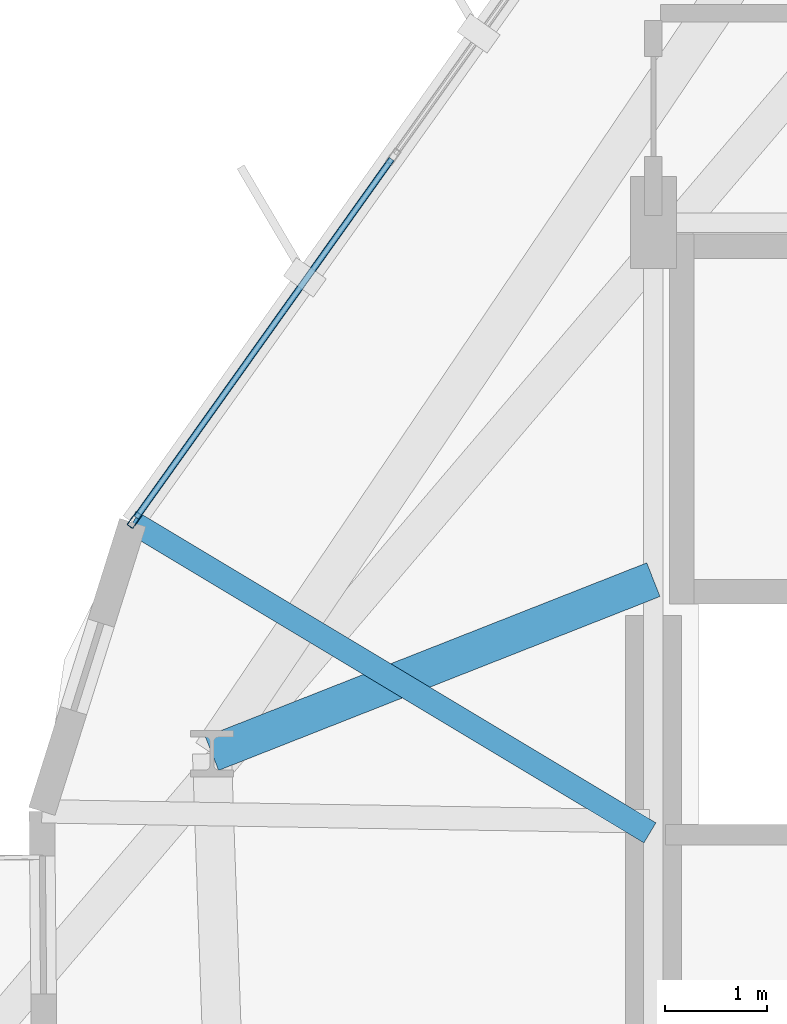
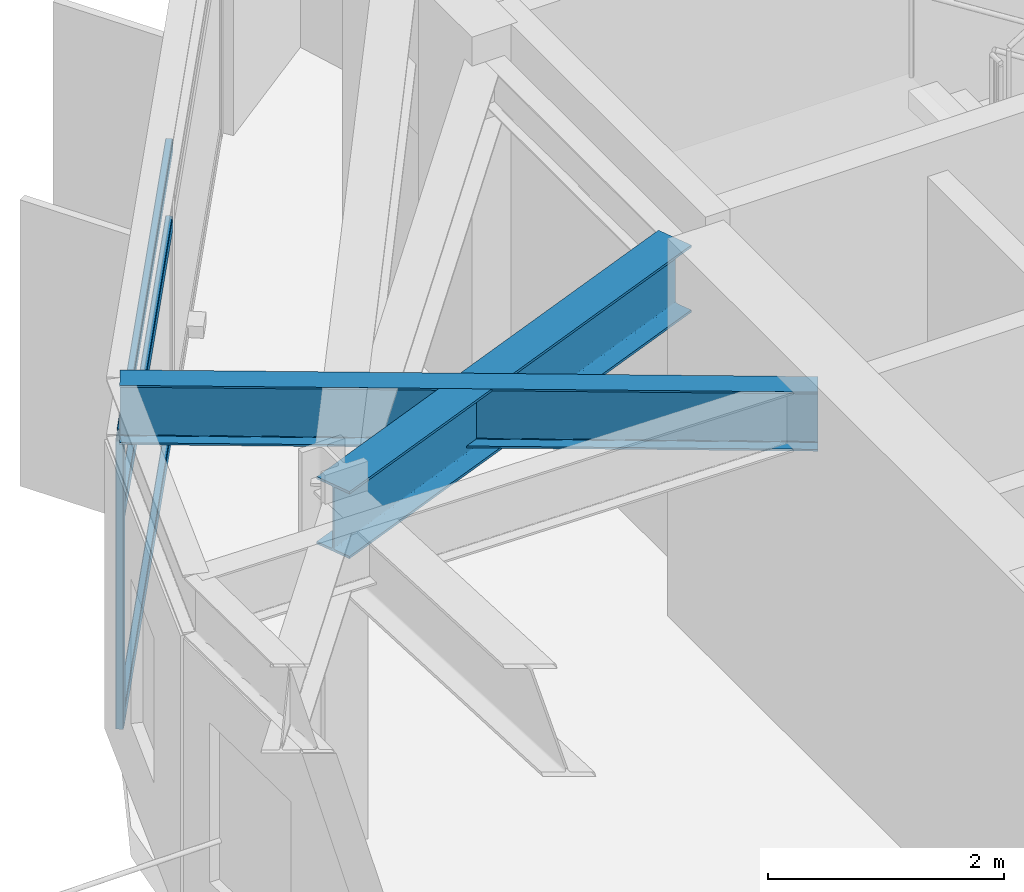
# One storey, part 8 of 27: 4 members, 2 beams, 1 element without a shape of its own.
"""IFC4 building model written with IfcOpenShell, lengths in metres."""

from ifc_helpers import new_model, si_unit, direction, frame, origin, origin_2d, place, context, subcontext, project, spatial, hollow_rectangle, i_section, extrude, material, layer, layer_set, material_profile, profile_set, type_object, element, aggregate, save


model = new_model("IFC4")

# Units and contexts
model_context = context("Model", 3, precision=1e-05, world=origin(), true_north=direction((0.0, 1.0)))
body_context = subcontext(model_context, "Body", "Model", "MODEL_VIEW")
ifc_project = project(units=[si_unit("LENGTHUNIT", "METRE"), si_unit("AREAUNIT", "SQUARE_METRE"), si_unit("VOLUMEUNIT", "CUBIC_METRE"), si_unit("PLANEANGLEUNIT", "RADIAN"), si_unit("MASSUNIT", "GRAM", prefix="KILO")], contexts=[model_context])

# Site, building, storey
site_placement = place(None, origin())
site = spatial("IfcSite", under=ifc_project, at=site_placement, CompositionType="ELEMENT")
building_placement = place(site_placement, origin())
building = spatial("IfcBuilding", under=site, at=building_placement, Name="Soratama Intermodal Tower", CompositionType="ELEMENT")
storey_placement = place(building_placement, frame((0.0, 0.0, 103.0)))
storey = spatial("IfcBuildingStorey", under=building, at=storey_placement, Name="L24", CompositionType="ELEMENT", Elevation=103.0)

# Beams
ifc_material_1 = material(Name="Structural steel ASTM A992 Grade 50", Category="steel")
ifc_material_profile_1 = material_profile(ifc_material_1, i_section(OverallWidth=0.35498046875, OverallDepth=0.695068359375, WebThickness=0.015380859375, FlangeThickness=0.02490234375, FilletRadius=0.01611328125, at=origin_2d()), Name="W27X146")
ifc_profile_set_1 = profile_set([ifc_material_profile_1], Name="Structural steel ASTM A992 Grade 50")
beam_type_1 = type_object("IfcBeamType", Name="BM-RING-W27X146", PredefinedType="BEAM", material=ifc_profile_set_1)
beam_1_placement = place(storey_placement, frame((32.60009765625, 31.5, 3.25244140625), z_axis=(-0.930419244357, -0.366496970971, 0.0), x_axis=(0.366496970971, -0.930419244357, 0.0)))
element("IfcBeam", 1, at=beam_1_placement, inside=storey, type_object=beam_type_1, Name="BM-L24-RAD-05", PredefinedType="BEAM", context=body_context, shape_type="SweptSolid", body=[
    extrude(i_section(OverallWidth=0.35498046875, OverallDepth=0.695068359375, WebThickness=0.015380859375, FlangeThickness=0.02490234375, FilletRadius=0.01611328125, at=origin_2d()), origin(), (0.0, 0.0, 1.0), 4.649658203125),
])
ifc_material_2 = material(Name="Structural steel ASTM A992 Grade 50", Category="steel")
ifc_material_profile_2 = material_profile(ifc_material_2, i_section(OverallWidth=0.22900390625, OverallDepth=0.612060546875, WebThickness=0.011962890625, FlangeThickness=0.01953125, FilletRadius=0.012939453125, at=origin_2d()), Name="W24X84")
ifc_profile_set_2 = profile_set([ifc_material_profile_2], Name="Structural steel ASTM A992 Grade 50")
beam_type_2 = type_object("IfcBeamType", Name="BM-TIE-W24X84", PredefinedType="BEAM", material=ifc_profile_set_2)
beam_2_placement = place(storey_placement, frame((32.56591796875, 29.01904296875, 3.2939453125), z_axis=(-0.857514790771, 0.514459311908, 0.0), x_axis=(-0.514459311908, -0.857514790771, 0.0)))
element("IfcBeam", 2, at=beam_2_placement, inside=storey, type_object=beam_type_2, Name="BM-L24-TIE1-04", PredefinedType="BEAM", context=body_context, shape_type="SweptSolid", body=[
    extrude(i_section(OverallWidth=0.22900390625, OverallDepth=0.612060546875, WebThickness=0.011962890625, FlangeThickness=0.01953125, FilletRadius=0.012939453125, at=origin_2d()), origin(), (0.0, 0.0, 1.0), 5.9111328125),
])

# Curtain wall, members
ifc_material_3 = material(Name="Double-glazed aluminium curtain wall", Category="aluminium")
ifc_layer = layer(ifc_material_3, 0.159912109375)
ifc_layer_set = layer_set([ifc_layer], Name="Double-glazed aluminium curtain wall")
curtain_wall_type = type_object("IfcCurtainWallType", Name="CW-SYS-3", PredefinedType="NOTDEFINED", material=ifc_layer_set)
curtain_wall_placement = place(storey_placement, origin())
curtain_wall = element("IfcCurtainWall", 3, at=curtain_wall_placement, inside=storey, type_object=curtain_wall_type, Name="L24 Faceted Curtain Wall F04", PredefinedType="NOTDEFINED")
ifc_material_4 = material(Name="Anodised aluminium AA 6063-T6", Category="aluminium")
ifc_material_profile_3 = material_profile(ifc_material_4, hollow_rectangle(XDim=0.070068359375, YDim=0.159912109375, WallThickness=0.0048828125, InnerFilletRadius=0.0048828125, OuterFilletRadius=0.010009765625, at=origin_2d()), Name="CWM160X70X5")
ifc_profile_set_3 = profile_set([ifc_material_profile_3], Name="Anodised aluminium AA 6063-T6")
member_type_1 = type_object("IfcMemberType", Name="MT-CWM-3", PredefinedType="MULLION", material=ifc_profile_set_3)
member_1_placement = place(storey_placement, frame((27.514892578125, 32.08447265625, 0.0), z_axis=(0.0, 0.0, 1.0), x_axis=(0.814519150028, -0.580136668585, 0.0)))
member_1 = element("IfcMember", 4, at=member_1_placement, type_object=member_type_1, Name="CW-3 mullion 3", PredefinedType="MULLION", context=body_context, shape_type="SweptSolid", body=[
    extrude(hollow_rectangle(XDim=0.070068359375, YDim=0.159912109375, WallThickness=0.0048828125, InnerFilletRadius=0.0048828125, OuterFilletRadius=0.010009765625, at=origin_2d()), origin(), (0.0, 0.0, 1.0), 2.97900390625),
])
ifc_material_5 = material(Name="Anodised aluminium AA 6063-T6", Category="aluminium")
ifc_material_profile_4 = material_profile(ifc_material_5, hollow_rectangle(XDim=0.06494140625, YDim=0.14990234375, WallThickness=0.0048828125, InnerFilletRadius=0.0048828125, OuterFilletRadius=0.010009765625, at=origin_2d()), Name="CWT150X65X5")
ifc_profile_set_4 = profile_set([ifc_material_profile_4], Name="Anodised aluminium AA 6063-T6")
member_type_2 = type_object("IfcMemberType", Name="TT-CWT-1", PredefinedType="USERDEFINED", material=ifc_profile_set_4)
member_2_placement = place(storey_placement, frame((30.03466796875, 35.6220703125, 0.030029296875), z_axis=(-0.580166848529, -0.814497653691, 0.0), x_axis=(0.814497653691, -0.580166848529, 0.0)))
member_2 = element("IfcMember", 5, at=member_2_placement, type_object=member_type_2, Name="CW-3 transom 2.1", ObjectType="TRANSOM", PredefinedType="USERDEFINED", context=body_context, shape_type="SweptSolid", body=[
    extrude(hollow_rectangle(XDim=0.06494140625, YDim=0.14990234375, WallThickness=0.0048828125, InnerFilletRadius=0.0048828125, OuterFilletRadius=0.010009765625, at=origin_2d()), origin(), (0.0, 0.0, 1.0), 4.313232421875),
])
member_3_placement = place(storey_placement, frame((30.03466796875, 35.6220703125, 2.14990234375), z_axis=(-0.580166848529, -0.814497653691, 0.0), x_axis=(0.814497653691, -0.580166848529, 0.0)))
member_3 = element("IfcMember", 6, at=member_3_placement, type_object=member_type_2, Name="CW-3 transom 2.2", ObjectType="TRANSOM", PredefinedType="USERDEFINED", context=body_context, shape_type="SweptSolid", body=[
    extrude(hollow_rectangle(XDim=0.06494140625, YDim=0.14990234375, WallThickness=0.0048828125, InnerFilletRadius=0.0048828125, OuterFilletRadius=0.010009765625, at=origin_2d()), origin(), (0.0, 0.0, 1.0), 4.313232421875),
])
member_4_placement = place(storey_placement, frame((30.03466796875, 35.6220703125, 2.948974609375), z_axis=(-0.580166848529, -0.814497653691, 0.0), x_axis=(0.814497653691, -0.580166848529, 0.0)))
member_4 = element("IfcMember", 7, at=member_4_placement, type_object=member_type_2, Name="CW-3 transom 2.3", ObjectType="TRANSOM", PredefinedType="USERDEFINED", context=body_context, shape_type="SweptSolid", body=[
    extrude(hollow_rectangle(XDim=0.06494140625, YDim=0.14990234375, WallThickness=0.0048828125, InnerFilletRadius=0.0048828125, OuterFilletRadius=0.010009765625, at=origin_2d()), origin(), (0.0, 0.0, 1.0), 4.313232421875),
])
aggregate(curtain_wall, [member_1, member_2, member_3, member_4])

save(model, "model.ifc")
